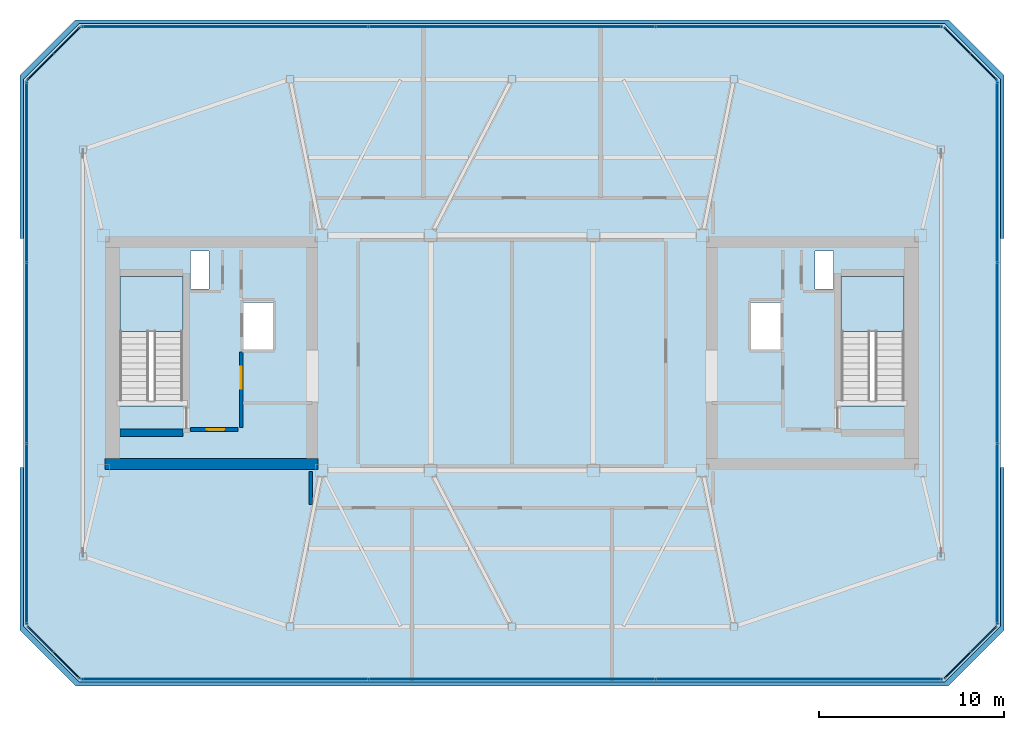
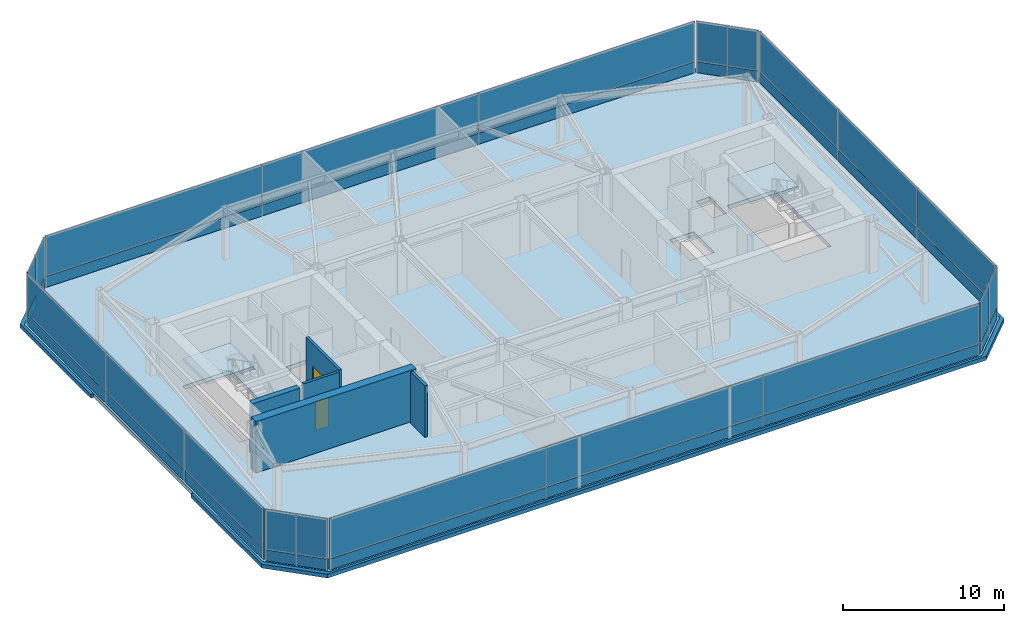
# One storey, part 16 of 21: 40 plates, 5 slabs, 5 walls, 2 doors, 2 openings, 10 elements without a shape of their own.
"""IFC4 building model written with IfcOpenShell, lengths in metres."""

from ifc_helpers import new_model, si_unit, direction, frame, frame_2d, origin, origin_2d, place, context, subcontext, project, spatial, polyline, rectangle, outline, extrude, material, layer, layer_set, type_object, element, fill, aggregate, save


model = new_model("IFC4")

# Units and contexts
model_context = context("Model", 3, precision=1e-05, world=origin(), true_north=direction((0.0, 1.0)))
body_context = subcontext(model_context, "Body", "Model", "MODEL_VIEW")
ifc_project = project(units=[si_unit("LENGTHUNIT", "METRE"), si_unit("AREAUNIT", "SQUARE_METRE"), si_unit("VOLUMEUNIT", "CUBIC_METRE"), si_unit("PLANEANGLEUNIT", "RADIAN"), si_unit("MASSUNIT", "GRAM", prefix="KILO")], contexts=[model_context])

# Site, building, storey
site_placement = place(None, origin())
site = spatial("IfcSite", under=ifc_project, at=site_placement, CompositionType="ELEMENT")
building_placement = place(site_placement, origin())
building = spatial("IfcBuilding", under=site, at=building_placement, Name="Tavrogorsk Clinical Tower", CompositionType="ELEMENT")
storey_placement = place(building_placement, frame((0.0, 0.0, 348.60009765625)))
storey = spatial("IfcBuildingStorey", under=building, at=storey_placement, Name="L81", CompositionType="ELEMENT", Elevation=348.60009765625)

# Slabs
ifc_material_1 = material(Name="Concrete B60", Category="concrete")
ifc_layer_1 = layer(ifc_material_1, 0.300048828125)
ifc_layer_set_1 = layer_set([ifc_layer_1], Name="Concrete B60")
slab_type_1 = type_object("IfcSlabType", Name="CrownRoofSlab_300", PredefinedType="FLOOR", material=ifc_layer_set_1)
slab_1_placement = place(storey_placement, frame((0.0, 0.0, -0.300048828125)))
element("IfcSlab", 1, at=slab_1_placement, inside=storey, type_object=slab_type_1, Name="L81 Structural Slab", PredefinedType="FLOOR", context=body_context, shape_type="SweptSolid", body=[
    extrude(outline(polyline([(-23.39990234375, -17.800048828125), (23.39990234375, -17.800048828125), (26.39990234375, -14.800048828125), (26.39990234375, 14.800048828125), (23.39990234375, 17.800048828125), (-23.39990234375, 17.800048828125), (-26.39990234375, 14.800048828125), (-26.39990234375, -14.800048828125), (-23.39990234375, -17.800048828125)]), holes=[polyline([(-17.800048828125, -2.8798828125), (-17.800048828125, 4.125), (-21.199951171875, 4.125), (-21.199951171875, -2.8798828125), (-17.800048828125, -2.8798828125)]), polyline([(21.199951171875, -2.8798828125), (21.199951171875, 4.125), (17.800048828125, 4.125), (17.800048828125, -2.8798828125), (21.199951171875, -2.8798828125)]), polyline([(-14.6201171875, 0.169921875), (-12.860107421875, 0.169921875), (-12.860107421875, 2.72998046875), (-14.6201171875, 2.72998046875), (-14.6201171875, 0.169921875)]), polyline([(12.860107421875, 0.169921875), (14.6201171875, 0.169921875), (14.6201171875, 2.72998046875), (12.860107421875, 2.72998046875), (12.860107421875, 0.169921875)]), polyline([(-17.3798828125, 3.449951171875), (-16.3798828125, 3.449951171875), (-16.3798828125, 5.5), (-17.3798828125, 5.5), (-17.3798828125, 3.449951171875)]), polyline([(16.3798828125, 3.449951171875), (17.3798828125, 3.449951171875), (17.3798828125, 5.5), (16.3798828125, 5.5), (16.3798828125, 3.449951171875)])]), origin(), (0.0, 0.0, 1.0), 0.300048828125),
])
ifc_material_2 = material(Name="Concrete B60", Category="concrete")
ifc_layer_2 = layer(ifc_material_2, 0.300048828125)
ifc_layer_set_2 = layer_set([ifc_layer_2], Name="Concrete B60")
slab_type_2 = type_object("IfcSlabType", Name="CrownTopRoofSlab_300", PredefinedType="ROOF", material=ifc_layer_set_2)
slab_2_placement = place(storey_placement, frame((0.0, 0.0, -0.300048828125)))
element("IfcSlab", 2, at=slab_2_placement, inside=storey, type_object=slab_type_2, Name="L81 Setback Roof Slab 1", PredefinedType="ROOF", context=body_context, shape_type="SweptSolid", body=[
    extrude(outline(polyline([(-26.60009765625, -6.199951171875), (-26.39990234375, -6.199951171875), (-26.39990234375, -14.800048828125), (-23.39990234375, -17.800048828125), (23.39990234375, -17.800048828125), (26.39990234375, -14.800048828125), (26.39990234375, -6.199951171875), (26.60009765625, -6.199951171875), (26.60009765625, -15.0), (23.60009765625, -18.0), (-23.60009765625, -18.0), (-26.60009765625, -15.0), (-26.60009765625, -6.199951171875)])), origin(), (0.0, 0.0, 1.0), 0.300048828125),
])
slab_3_placement = place(storey_placement, frame((0.0, 0.0, -0.300048828125)))
element("IfcSlab", 3, at=slab_3_placement, inside=storey, type_object=slab_type_2, Name="L81 Setback Roof Slab 2", PredefinedType="ROOF", context=body_context, shape_type="SweptSolid", body=[
    extrude(outline(polyline([(-26.60009765625, 15.0), (-23.60009765625, 18.0), (23.60009765625, 18.0), (26.60009765625, 15.0), (26.60009765625, 6.199951171875), (26.39990234375, 6.199951171875), (26.39990234375, 14.800048828125), (23.39990234375, 17.800048828125), (-23.39990234375, 17.800048828125), (-26.39990234375, 14.800048828125), (-26.39990234375, 6.199951171875), (-26.60009765625, 6.199951171875), (-26.60009765625, 15.0)])), origin(), (0.0, 0.0, 1.0), 0.300048828125),
])

# Curtain wall, plates
ifc_material_3 = material(Name="Anodised aluminium and triple IGU glazing", Category="aluminium")
ifc_layer_3 = layer(ifc_material_3, 0.179931640625)
ifc_layer_set_3 = layer_set([ifc_layer_3], Name="Anodised aluminium and triple IGU glazing")
curtain_wall_type = type_object("IfcCurtainWallType", Name="CW5_SkyLobby", PredefinedType="NOTDEFINED", material=ifc_layer_set_3)
curtain_wall_1_placement = place(storey_placement, origin())
curtain_wall_1 = element("IfcCurtainWall", 4, at=curtain_wall_1_placement, inside=storey, type_object=curtain_wall_type, Name="L81 Curtain Wall CW-L81-DRUM-1", PredefinedType="NOTDEFINED")
ifc_material_4 = material(Name="Honed Podolsk limestone spandrel panel", Category="masonry")
ifc_layer_4 = layer(ifc_material_4, 0.080078125)
ifc_layer_set_4 = layer_set([ifc_layer_4], Name="Honed Podolsk limestone spandrel panel")
plate_type_1 = type_object("IfcPlateType", Name="CwSpandrelStonePanel_80", PredefinedType="CURTAIN_PANEL", material=ifc_layer_set_4)
plate_1_placement = place(storey_placement, frame((-24.0771484375, -16.896484375, 0.001953125), z_axis=(0.0, 0.0, 1.0), x_axis=(-0.707106781187, 0.707106781187, 0.0)))
plate_1 = element("IfcPlate", 5, at=plate_1_placement, type_object=plate_type_1, Name="CW-L81-DRUM-1 Stone Spandrel Panel 1", PredefinedType="CURTAIN_PANEL", context=body_context, shape_type="SweptSolid", body=[
    extrude(rectangle(XDim=1.98291015625, YDim=0.080078125, at=origin_2d()), origin(), (0.0, 0.0, 1.0), 0.8359375),
])
plate_2_placement = place(storey_placement, frame((-25.49658203125, -15.477294921875, 0.001953125), z_axis=(0.0, 0.0, 1.0), x_axis=(-0.707106781187, 0.707106781187, 0.0)))
plate_2 = element("IfcPlate", 6, at=plate_2_placement, type_object=plate_type_1, Name="CW-L81-DRUM-1 Stone Spandrel Panel 2", PredefinedType="CURTAIN_PANEL", context=body_context, shape_type="SweptSolid", body=[
    extrude(rectangle(XDim=1.98291015625, YDim=0.080078125, at=origin_2d()), origin(), (0.0, 0.0, 1.0), 0.8359375),
])

curtain_wall_2_placement = place(storey_placement, origin())
curtain_wall_2 = element("IfcCurtainWall", 7, at=curtain_wall_2_placement, inside=storey, type_object=curtain_wall_type, Name="L81 Curtain Wall CW-L81-DRUM-2", PredefinedType="NOTDEFINED")
plate_3_placement = place(storey_placement, frame((-26.239990234375, -9.78857421875, 0.001953125), z_axis=(0.0, 0.0, 1.0), x_axis=(0.0, 1.0, 0.0)))
plate_3 = element("IfcPlate", 8, at=plate_3_placement, type_object=plate_type_1, Name="CW-L81-DRUM-2 Stone Spandrel Panel 1", PredefinedType="CURTAIN_PANEL", context=body_context, shape_type="SweptSolid", body=[
    extrude(rectangle(XDim=9.7705078125, YDim=0.080078125, at=origin_2d()), origin(), (0.0, 0.0, 1.0), 0.8359375),
])
plate_4_placement = place(storey_placement, frame((-26.239990234375, 0.0, 0.001953125), z_axis=(0.0, 0.0, 1.0), x_axis=(0.0, 1.0, 0.0)))
plate_4 = element("IfcPlate", 9, at=plate_4_placement, type_object=plate_type_1, Name="CW-L81-DRUM-2 Stone Spandrel Panel 2", PredefinedType="CURTAIN_PANEL", context=body_context, shape_type="SweptSolid", body=[
    extrude(rectangle(XDim=9.758544921875, YDim=0.080078125, at=origin_2d()), origin(), (0.0, 0.0, 1.0), 0.8359375),
])
plate_5_placement = place(storey_placement, frame((-26.239990234375, 9.78857421875, 0.001953125), z_axis=(0.0, 0.0, 1.0), x_axis=(0.0, 1.0, 0.0)))
plate_5 = element("IfcPlate", 10, at=plate_5_placement, type_object=plate_type_1, Name="CW-L81-DRUM-2 Stone Spandrel Panel 3", PredefinedType="CURTAIN_PANEL", context=body_context, shape_type="SweptSolid", body=[
    extrude(rectangle(XDim=9.7705078125, YDim=0.080078125, at=origin_2d()), origin(), (0.0, 0.0, 1.0), 0.8359375),
])

curtain_wall_3_placement = place(storey_placement, origin())
curtain_wall_3 = element("IfcCurtainWall", 11, at=curtain_wall_3_placement, inside=storey, type_object=curtain_wall_type, Name="L81 Curtain Wall CW-L81-DRUM-3", PredefinedType="NOTDEFINED")
plate_6_placement = place(storey_placement, frame((-25.49658203125, 15.477294921875, 0.001953125), z_axis=(0.0, 0.0, 1.0), x_axis=(0.707106781187, 0.707106781187, 0.0)))
plate_6 = element("IfcPlate", 12, at=plate_6_placement, type_object=plate_type_1, Name="CW-L81-DRUM-3 Stone Spandrel Panel 1", PredefinedType="CURTAIN_PANEL", context=body_context, shape_type="SweptSolid", body=[
    extrude(rectangle(XDim=1.98291015625, YDim=0.080078125, at=origin_2d()), origin(), (0.0, 0.0, 1.0), 0.8359375),
])
plate_7_placement = place(storey_placement, frame((-24.0771484375, 16.896484375, 0.001953125), z_axis=(0.0, 0.0, 1.0), x_axis=(0.707106781187, 0.707106781187, 0.0)))
plate_7 = element("IfcPlate", 13, at=plate_7_placement, type_object=plate_type_1, Name="CW-L81-DRUM-3 Stone Spandrel Panel 2", PredefinedType="CURTAIN_PANEL", context=body_context, shape_type="SweptSolid", body=[
    extrude(rectangle(XDim=1.98291015625, YDim=0.080078125, at=origin_2d()), origin(), (0.0, 0.0, 1.0), 0.8359375),
])

curtain_wall_4_placement = place(storey_placement, origin())
curtain_wall_4 = element("IfcCurtainWall", 14, at=curtain_wall_4_placement, inside=storey, type_object=curtain_wall_type, Name="L81 Curtain Wall CW-L81-DRUM-4", PredefinedType="NOTDEFINED")
plate_8_placement = place(storey_placement, frame((-15.521728515625, 17.639892578125, 0.001953125), z_axis=(0.0, 0.0, 1.0), x_axis=(1.0, 0.0, 0.0)))
plate_8 = element("IfcPlate", 15, at=plate_8_placement, type_object=plate_type_1, Name="CW-L81-DRUM-4 Stone Spandrel Panel 1", PredefinedType="CURTAIN_PANEL", context=body_context, shape_type="SweptSolid", body=[
    extrude(rectangle(XDim=15.50390625, YDim=0.080078125, at=origin_2d()), origin(), (0.0, 0.0, 1.0), 0.8359375),
])
plate_9_placement = place(storey_placement, frame((0.0, 17.639892578125, 0.001953125), z_axis=(0.0, 0.0, 1.0), x_axis=(1.0, 0.0, 0.0)))
plate_9 = element("IfcPlate", 16, at=plate_9_placement, type_object=plate_type_1, Name="CW-L81-DRUM-4 Stone Spandrel Panel 2", PredefinedType="CURTAIN_PANEL", context=body_context, shape_type="SweptSolid", body=[
    extrude(rectangle(XDim=15.49169921875, YDim=0.080078125, at=origin_2d()), origin(), (0.0, 0.0, 1.0), 0.8359375),
])
plate_10_placement = place(storey_placement, frame((15.521728515625, 17.639892578125, 0.001953125), z_axis=(0.0, 0.0, 1.0), x_axis=(1.0, 0.0, 0.0)))
plate_10 = element("IfcPlate", 17, at=plate_10_placement, type_object=plate_type_1, Name="CW-L81-DRUM-4 Stone Spandrel Panel 3", PredefinedType="CURTAIN_PANEL", context=body_context, shape_type="SweptSolid", body=[
    extrude(rectangle(XDim=15.50390625, YDim=0.080078125, at=origin_2d()), origin(), (0.0, 0.0, 1.0), 0.8359375),
])

curtain_wall_5_placement = place(storey_placement, origin())
curtain_wall_5 = element("IfcCurtainWall", 18, at=curtain_wall_5_placement, inside=storey, type_object=curtain_wall_type, Name="L81 Curtain Wall CW-L81-DRUM-5", PredefinedType="NOTDEFINED")
plate_11_placement = place(storey_placement, frame((24.0771484375, 16.896484375, 0.001953125), z_axis=(0.0, 0.0, 1.0), x_axis=(0.707106781187, -0.707106781187, 0.0)))
plate_11 = element("IfcPlate", 19, at=plate_11_placement, type_object=plate_type_1, Name="CW-L81-DRUM-5 Stone Spandrel Panel 1", PredefinedType="CURTAIN_PANEL", context=body_context, shape_type="SweptSolid", body=[
    extrude(rectangle(XDim=1.98291015625, YDim=0.080078125, at=origin_2d()), origin(), (0.0, 0.0, 1.0), 0.8359375),
])
plate_12_placement = place(storey_placement, frame((25.49658203125, 15.477294921875, 0.001953125), z_axis=(0.0, 0.0, 1.0), x_axis=(0.707106781187, -0.707106781187, 0.0)))
plate_12 = element("IfcPlate", 20, at=plate_12_placement, type_object=plate_type_1, Name="CW-L81-DRUM-5 Stone Spandrel Panel 2", PredefinedType="CURTAIN_PANEL", context=body_context, shape_type="SweptSolid", body=[
    extrude(rectangle(XDim=1.98291015625, YDim=0.080078125, at=origin_2d()), origin(), (0.0, 0.0, 1.0), 0.8359375),
])

curtain_wall_6_placement = place(storey_placement, origin())
curtain_wall_6 = element("IfcCurtainWall", 21, at=curtain_wall_6_placement, inside=storey, type_object=curtain_wall_type, Name="L81 Curtain Wall CW-L81-DRUM-6", PredefinedType="NOTDEFINED")
plate_13_placement = place(storey_placement, frame((26.239990234375, 9.78857421875, 0.001953125), z_axis=(0.0, 0.0, 1.0), x_axis=(0.0, -1.0, 0.0)))
plate_13 = element("IfcPlate", 22, at=plate_13_placement, type_object=plate_type_1, Name="CW-L81-DRUM-6 Stone Spandrel Panel 1", PredefinedType="CURTAIN_PANEL", context=body_context, shape_type="SweptSolid", body=[
    extrude(rectangle(XDim=9.7705078125, YDim=0.080078125, at=origin_2d()), origin(), (0.0, 0.0, 1.0), 0.8359375),
])
plate_14_placement = place(storey_placement, frame((26.239990234375, 0.0, 0.001953125), z_axis=(0.0, 0.0, 1.0), x_axis=(0.0, -1.0, 0.0)))
plate_14 = element("IfcPlate", 23, at=plate_14_placement, type_object=plate_type_1, Name="CW-L81-DRUM-6 Stone Spandrel Panel 2", PredefinedType="CURTAIN_PANEL", context=body_context, shape_type="SweptSolid", body=[
    extrude(rectangle(XDim=9.758544921875, YDim=0.080078125, at=origin_2d()), origin(), (0.0, 0.0, 1.0), 0.8359375),
])
plate_15_placement = place(storey_placement, frame((26.239990234375, -9.78857421875, 0.001953125), z_axis=(0.0, 0.0, 1.0), x_axis=(0.0, -1.0, 0.0)))
plate_15 = element("IfcPlate", 24, at=plate_15_placement, type_object=plate_type_1, Name="CW-L81-DRUM-6 Stone Spandrel Panel 3", PredefinedType="CURTAIN_PANEL", context=body_context, shape_type="SweptSolid", body=[
    extrude(rectangle(XDim=9.7705078125, YDim=0.080078125, at=origin_2d()), origin(), (0.0, 0.0, 1.0), 0.8359375),
])

curtain_wall_7_placement = place(storey_placement, origin())
curtain_wall_7 = element("IfcCurtainWall", 25, at=curtain_wall_7_placement, inside=storey, type_object=curtain_wall_type, Name="L81 Curtain Wall CW-L81-DRUM-7", PredefinedType="NOTDEFINED")
plate_16_placement = place(storey_placement, frame((25.49658203125, -15.477294921875, 0.001953125), z_axis=(0.0, 0.0, 1.0), x_axis=(-0.707106781187, -0.707106781187, 0.0)))
plate_16 = element("IfcPlate", 26, at=plate_16_placement, type_object=plate_type_1, Name="CW-L81-DRUM-7 Stone Spandrel Panel 1", PredefinedType="CURTAIN_PANEL", context=body_context, shape_type="SweptSolid", body=[
    extrude(rectangle(XDim=1.98291015625, YDim=0.080078125, at=origin_2d()), origin(), (0.0, 0.0, 1.0), 0.8359375),
])
plate_17_placement = place(storey_placement, frame((24.0771484375, -16.896484375, 0.001953125), z_axis=(0.0, 0.0, 1.0), x_axis=(-0.707106781187, -0.707106781187, 0.0)))
plate_17 = element("IfcPlate", 27, at=plate_17_placement, type_object=plate_type_1, Name="CW-L81-DRUM-7 Stone Spandrel Panel 2", PredefinedType="CURTAIN_PANEL", context=body_context, shape_type="SweptSolid", body=[
    extrude(rectangle(XDim=1.98291015625, YDim=0.080078125, at=origin_2d()), origin(), (0.0, 0.0, 1.0), 0.8359375),
])

curtain_wall_8_placement = place(storey_placement, origin())
curtain_wall_8 = element("IfcCurtainWall", 28, at=curtain_wall_8_placement, inside=storey, type_object=curtain_wall_type, Name="L81 Curtain Wall CW-L81-DRUM-8", PredefinedType="NOTDEFINED")
plate_18_placement = place(storey_placement, frame((15.521728515625, -17.639892578125, 0.001953125), z_axis=(0.0, 0.0, 1.0), x_axis=(-1.0, 0.0, 0.0)))
plate_18 = element("IfcPlate", 29, at=plate_18_placement, type_object=plate_type_1, Name="CW-L81-DRUM-8 Stone Spandrel Panel 1", PredefinedType="CURTAIN_PANEL", context=body_context, shape_type="SweptSolid", body=[
    extrude(rectangle(XDim=15.50390625, YDim=0.080078125, at=origin_2d()), origin(), (0.0, 0.0, 1.0), 0.8359375),
])
plate_19_placement = place(storey_placement, frame((0.0, -17.639892578125, 0.001953125), z_axis=(0.0, 0.0, 1.0), x_axis=(-1.0, 0.0, 0.0)))
plate_19 = element("IfcPlate", 30, at=plate_19_placement, type_object=plate_type_1, Name="CW-L81-DRUM-8 Stone Spandrel Panel 2", PredefinedType="CURTAIN_PANEL", context=body_context, shape_type="SweptSolid", body=[
    extrude(rectangle(XDim=15.49169921875, YDim=0.080078125, at=origin_2d()), origin(), (0.0, 0.0, 1.0), 0.8359375),
])
plate_20_placement = place(storey_placement, frame((-15.521728515625, -17.639892578125, 0.001953125), z_axis=(0.0, 0.0, 1.0), x_axis=(-1.0, 0.0, 0.0)))
plate_20 = element("IfcPlate", 31, at=plate_20_placement, type_object=plate_type_1, Name="CW-L81-DRUM-8 Stone Spandrel Panel 3", PredefinedType="CURTAIN_PANEL", context=body_context, shape_type="SweptSolid", body=[
    extrude(rectangle(XDim=15.50390625, YDim=0.080078125, at=origin_2d()), origin(), (0.0, 0.0, 1.0), 0.8359375),
])

# Plate
ifc_material_5 = material(Name="Triple low-E argon insulated glass", Category="glass")
ifc_layer_5 = layer(ifc_material_5, 0.048095703125)
ifc_layer_set_5 = layer_set([ifc_layer_5], Name="Triple low-E argon insulated glass")
plate_type_2 = type_object("IfcPlateType", Name="CwVisionGlassPanel_48", PredefinedType="CURTAIN_PANEL", material=ifc_layer_set_5)
plate_21_placement = place(storey_placement, frame((-24.0771484375, -16.896484375, 0.86181640625), z_axis=(0.0, 0.0, 1.0), x_axis=(-0.707106781187, 0.707106781187, 0.0)))
plate_21 = element("IfcPlate", 32, at=plate_21_placement, type_object=plate_type_2, Name="CW-L81-DRUM-1 Glazing Panel 1", PredefinedType="CURTAIN_PANEL", context=body_context, shape_type="SweptSolid", body=[
    extrude(rectangle(XDim=1.98291015625, YDim=0.048095703125, at=origin_2d()), origin(), (0.0, 0.0, 1.0), 3.035888671875),
])

plate_22_placement = place(storey_placement, frame((-25.49658203125, -15.477294921875, 0.86181640625), z_axis=(0.0, 0.0, 1.0), x_axis=(-0.707106781187, 0.707106781187, 0.0)))
plate_22 = element("IfcPlate", 33, at=plate_22_placement, type_object=plate_type_2, Name="CW-L81-DRUM-1 Glazing Panel 2", PredefinedType="CURTAIN_PANEL", context=body_context, shape_type="SweptSolid", body=[
    extrude(rectangle(XDim=1.98291015625, YDim=0.048095703125, at=origin_2d()), origin(), (0.0, 0.0, 1.0), 3.035888671875),
])

aggregate(curtain_wall_1, [plate_1, plate_21, plate_2, plate_22])

plate_23_placement = place(storey_placement, frame((-26.239990234375, -9.78857421875, 0.86181640625), z_axis=(0.0, 0.0, 1.0), x_axis=(0.0, 1.0, 0.0)))
plate_23 = element("IfcPlate", 34, at=plate_23_placement, type_object=plate_type_2, Name="CW-L81-DRUM-2 Glazing Panel 1", PredefinedType="CURTAIN_PANEL", context=body_context, shape_type="SweptSolid", body=[
    extrude(rectangle(XDim=9.7705078125, YDim=0.048095703125, at=origin_2d()), origin(), (0.0, 0.0, 1.0), 3.035888671875),
])

plate_24_placement = place(storey_placement, frame((-26.239990234375, 0.0, 0.86181640625), z_axis=(0.0, 0.0, 1.0), x_axis=(0.0, 1.0, 0.0)))
plate_24 = element("IfcPlate", 35, at=plate_24_placement, type_object=plate_type_2, Name="CW-L81-DRUM-2 Glazing Panel 2", PredefinedType="CURTAIN_PANEL", context=body_context, shape_type="SweptSolid", body=[
    extrude(rectangle(XDim=9.758544921875, YDim=0.048095703125, at=origin_2d()), origin(), (0.0, 0.0, 1.0), 3.035888671875),
])

plate_25_placement = place(storey_placement, frame((-26.239990234375, 9.78857421875, 0.86181640625), z_axis=(0.0, 0.0, 1.0), x_axis=(0.0, 1.0, 0.0)))
plate_25 = element("IfcPlate", 36, at=plate_25_placement, type_object=plate_type_2, Name="CW-L81-DRUM-2 Glazing Panel 3", PredefinedType="CURTAIN_PANEL", context=body_context, shape_type="SweptSolid", body=[
    extrude(rectangle(XDim=9.7705078125, YDim=0.048095703125, at=origin_2d()), origin(), (0.0, 0.0, 1.0), 3.035888671875),
])

aggregate(curtain_wall_2, [plate_3, plate_23, plate_4, plate_24, plate_5, plate_25])

plate_26_placement = place(storey_placement, frame((-25.49658203125, 15.477294921875, 0.86181640625), z_axis=(0.0, 0.0, 1.0), x_axis=(0.707106781187, 0.707106781187, 0.0)))
plate_26 = element("IfcPlate", 37, at=plate_26_placement, type_object=plate_type_2, Name="CW-L81-DRUM-3 Glazing Panel 1", PredefinedType="CURTAIN_PANEL", context=body_context, shape_type="SweptSolid", body=[
    extrude(rectangle(XDim=1.98291015625, YDim=0.048095703125, at=origin_2d()), origin(), (0.0, 0.0, 1.0), 3.035888671875),
])

plate_27_placement = place(storey_placement, frame((-24.0771484375, 16.896484375, 0.86181640625), z_axis=(0.0, 0.0, 1.0), x_axis=(0.707106781187, 0.707106781187, 0.0)))
plate_27 = element("IfcPlate", 38, at=plate_27_placement, type_object=plate_type_2, Name="CW-L81-DRUM-3 Glazing Panel 2", PredefinedType="CURTAIN_PANEL", context=body_context, shape_type="SweptSolid", body=[
    extrude(rectangle(XDim=1.98291015625, YDim=0.048095703125, at=origin_2d()), origin(), (0.0, 0.0, 1.0), 3.035888671875),
])

aggregate(curtain_wall_3, [plate_6, plate_26, plate_7, plate_27])

plate_28_placement = place(storey_placement, frame((-15.521728515625, 17.639892578125, 0.86181640625), z_axis=(0.0, 0.0, 1.0), x_axis=(1.0, 0.0, 0.0)))
plate_28 = element("IfcPlate", 39, at=plate_28_placement, type_object=plate_type_2, Name="CW-L81-DRUM-4 Glazing Panel 1", PredefinedType="CURTAIN_PANEL", context=body_context, shape_type="SweptSolid", body=[
    extrude(rectangle(XDim=15.50390625, YDim=0.048095703125, at=origin_2d()), origin(), (0.0, 0.0, 1.0), 3.035888671875),
])

plate_29_placement = place(storey_placement, frame((0.0, 17.639892578125, 0.86181640625), z_axis=(0.0, 0.0, 1.0), x_axis=(1.0, 0.0, 0.0)))
plate_29 = element("IfcPlate", 40, at=plate_29_placement, type_object=plate_type_2, Name="CW-L81-DRUM-4 Glazing Panel 2", PredefinedType="CURTAIN_PANEL", context=body_context, shape_type="SweptSolid", body=[
    extrude(rectangle(XDim=15.49169921875, YDim=0.048095703125, at=origin_2d()), origin(), (0.0, 0.0, 1.0), 3.035888671875),
])

plate_30_placement = place(storey_placement, frame((15.521728515625, 17.639892578125, 0.86181640625), z_axis=(0.0, 0.0, 1.0), x_axis=(1.0, 0.0, 0.0)))
plate_30 = element("IfcPlate", 41, at=plate_30_placement, type_object=plate_type_2, Name="CW-L81-DRUM-4 Glazing Panel 3", PredefinedType="CURTAIN_PANEL", context=body_context, shape_type="SweptSolid", body=[
    extrude(rectangle(XDim=15.50390625, YDim=0.048095703125, at=origin_2d()), origin(), (0.0, 0.0, 1.0), 3.035888671875),
])

aggregate(curtain_wall_4, [plate_8, plate_28, plate_9, plate_29, plate_10, plate_30])

plate_31_placement = place(storey_placement, frame((24.0771484375, 16.896484375, 0.86181640625), z_axis=(0.0, 0.0, 1.0), x_axis=(0.707106781187, -0.707106781187, 0.0)))
plate_31 = element("IfcPlate", 42, at=plate_31_placement, type_object=plate_type_2, Name="CW-L81-DRUM-5 Glazing Panel 1", PredefinedType="CURTAIN_PANEL", context=body_context, shape_type="SweptSolid", body=[
    extrude(rectangle(XDim=1.98291015625, YDim=0.048095703125, at=origin_2d()), origin(), (0.0, 0.0, 1.0), 3.035888671875),
])

plate_32_placement = place(storey_placement, frame((25.49658203125, 15.477294921875, 0.86181640625), z_axis=(0.0, 0.0, 1.0), x_axis=(0.707106781187, -0.707106781187, 0.0)))
plate_32 = element("IfcPlate", 43, at=plate_32_placement, type_object=plate_type_2, Name="CW-L81-DRUM-5 Glazing Panel 2", PredefinedType="CURTAIN_PANEL", context=body_context, shape_type="SweptSolid", body=[
    extrude(rectangle(XDim=1.98291015625, YDim=0.048095703125, at=origin_2d()), origin(), (0.0, 0.0, 1.0), 3.035888671875),
])

aggregate(curtain_wall_5, [plate_11, plate_31, plate_12, plate_32])

plate_33_placement = place(storey_placement, frame((26.239990234375, 9.78857421875, 0.86181640625), z_axis=(0.0, 0.0, 1.0), x_axis=(0.0, -1.0, 0.0)))
plate_33 = element("IfcPlate", 44, at=plate_33_placement, type_object=plate_type_2, Name="CW-L81-DRUM-6 Glazing Panel 1", PredefinedType="CURTAIN_PANEL", context=body_context, shape_type="SweptSolid", body=[
    extrude(rectangle(XDim=9.7705078125, YDim=0.048095703125, at=origin_2d()), origin(), (0.0, 0.0, 1.0), 3.035888671875),
])

plate_34_placement = place(storey_placement, frame((26.239990234375, 0.0, 0.86181640625), z_axis=(0.0, 0.0, 1.0), x_axis=(0.0, -1.0, 0.0)))
plate_34 = element("IfcPlate", 45, at=plate_34_placement, type_object=plate_type_2, Name="CW-L81-DRUM-6 Glazing Panel 2", PredefinedType="CURTAIN_PANEL", context=body_context, shape_type="SweptSolid", body=[
    extrude(rectangle(XDim=9.758544921875, YDim=0.048095703125, at=origin_2d()), origin(), (0.0, 0.0, 1.0), 3.035888671875),
])

plate_35_placement = place(storey_placement, frame((26.239990234375, -9.78857421875, 0.86181640625), z_axis=(0.0, 0.0, 1.0), x_axis=(0.0, -1.0, 0.0)))
plate_35 = element("IfcPlate", 46, at=plate_35_placement, type_object=plate_type_2, Name="CW-L81-DRUM-6 Glazing Panel 3", PredefinedType="CURTAIN_PANEL", context=body_context, shape_type="SweptSolid", body=[
    extrude(rectangle(XDim=9.7705078125, YDim=0.048095703125, at=origin_2d()), origin(), (0.0, 0.0, 1.0), 3.035888671875),
])

aggregate(curtain_wall_6, [plate_13, plate_33, plate_14, plate_34, plate_15, plate_35])

plate_36_placement = place(storey_placement, frame((25.49658203125, -15.477294921875, 0.86181640625), z_axis=(0.0, 0.0, 1.0), x_axis=(-0.707106781187, -0.707106781187, 0.0)))
plate_36 = element("IfcPlate", 47, at=plate_36_placement, type_object=plate_type_2, Name="CW-L81-DRUM-7 Glazing Panel 1", PredefinedType="CURTAIN_PANEL", context=body_context, shape_type="SweptSolid", body=[
    extrude(rectangle(XDim=1.98291015625, YDim=0.048095703125, at=origin_2d()), origin(), (0.0, 0.0, 1.0), 3.035888671875),
])

plate_37_placement = place(storey_placement, frame((24.0771484375, -16.896484375, 0.86181640625), z_axis=(0.0, 0.0, 1.0), x_axis=(-0.707106781187, -0.707106781187, 0.0)))
plate_37 = element("IfcPlate", 48, at=plate_37_placement, type_object=plate_type_2, Name="CW-L81-DRUM-7 Glazing Panel 2", PredefinedType="CURTAIN_PANEL", context=body_context, shape_type="SweptSolid", body=[
    extrude(rectangle(XDim=1.98291015625, YDim=0.048095703125, at=origin_2d()), origin(), (0.0, 0.0, 1.0), 3.035888671875),
])

aggregate(curtain_wall_7, [plate_16, plate_36, plate_17, plate_37])

plate_38_placement = place(storey_placement, frame((15.521728515625, -17.639892578125, 0.86181640625), z_axis=(0.0, 0.0, 1.0), x_axis=(-1.0, 0.0, 0.0)))
plate_38 = element("IfcPlate", 49, at=plate_38_placement, type_object=plate_type_2, Name="CW-L81-DRUM-8 Glazing Panel 1", PredefinedType="CURTAIN_PANEL", context=body_context, shape_type="SweptSolid", body=[
    extrude(rectangle(XDim=15.50390625, YDim=0.048095703125, at=origin_2d()), origin(), (0.0, 0.0, 1.0), 3.035888671875),
])

plate_39_placement = place(storey_placement, frame((0.0, -17.639892578125, 0.86181640625), z_axis=(0.0, 0.0, 1.0), x_axis=(-1.0, 0.0, 0.0)))
plate_39 = element("IfcPlate", 50, at=plate_39_placement, type_object=plate_type_2, Name="CW-L81-DRUM-8 Glazing Panel 2", PredefinedType="CURTAIN_PANEL", context=body_context, shape_type="SweptSolid", body=[
    extrude(rectangle(XDim=15.49169921875, YDim=0.048095703125, at=origin_2d()), origin(), (0.0, 0.0, 1.0), 3.035888671875),
])

plate_40_placement = place(storey_placement, frame((-15.521728515625, -17.639892578125, 0.86181640625), z_axis=(0.0, 0.0, 1.0), x_axis=(-1.0, 0.0, 0.0)))
plate_40 = element("IfcPlate", 51, at=plate_40_placement, type_object=plate_type_2, Name="CW-L81-DRUM-8 Glazing Panel 3", PredefinedType="CURTAIN_PANEL", context=body_context, shape_type="SweptSolid", body=[
    extrude(rectangle(XDim=15.50390625, YDim=0.048095703125, at=origin_2d()), origin(), (0.0, 0.0, 1.0), 3.035888671875),
])

aggregate(curtain_wall_8, [plate_18, plate_38, plate_19, plate_39, plate_20, plate_40])

# Stair, slab
ifc_material_6 = material(Name="Concrete B60", Category="concrete")
stair_type = type_object("IfcStairType", Name="CoreStairAssembly", PredefinedType="HALF_TURN_STAIR", material=ifc_material_6)
stair_1_placement = place(storey_placement, origin())
stair_1 = element("IfcStair", 52, at=stair_1_placement, inside=storey, type_object=stair_type, Name="L81 ST-W", PredefinedType="HALF_TURN_STAIR")
ifc_material_7 = material(Name="Concrete B60", Category="concrete")
ifc_layer_6 = layer(ifc_material_7, 0.199951171875)
ifc_layer_set_6 = layer_set([ifc_layer_6], Name="Concrete B60")
slab_type_3 = type_object("IfcSlabType", Name="StairLanding_200", PredefinedType="LANDING", material=ifc_layer_set_6)
slab_4_placement = place(storey_placement, frame((0.0, 0.0, 1.89990234375)))
slab_4 = element("IfcSlab", 53, at=slab_4_placement, type_object=slab_type_3, Name="ST-W landing 1", PredefinedType="LANDING", context=body_context, shape_type="SweptSolid", body=[
    extrude(outline(polyline([(-17.800048828125, 1.1650390625), (-17.800048828125, 4.125), (-21.199951171875, 4.125), (-21.199951171875, 1.1650390625), (-17.800048828125, 1.1650390625)])), origin(), (0.0, 0.0, 1.0), 0.199951171875),
])
aggregate(stair_1, [slab_4])

stair_2_placement = place(storey_placement, origin())
stair_2 = element("IfcStair", 54, at=stair_2_placement, inside=storey, type_object=stair_type, Name="L81 ST-E", PredefinedType="HALF_TURN_STAIR")
slab_5_placement = place(storey_placement, frame((0.0, 0.0, 1.89990234375)))
slab_5 = element("IfcSlab", 55, at=slab_5_placement, type_object=slab_type_3, Name="ST-E landing 1", PredefinedType="LANDING", context=body_context, shape_type="SweptSolid", body=[
    extrude(outline(polyline([(21.199951171875, 1.1650390625), (21.199951171875, 4.125), (17.800048828125, 4.125), (17.800048828125, 1.1650390625), (21.199951171875, 1.1650390625)])), origin(), (0.0, 0.0, 1.0), 0.199951171875),
])
aggregate(stair_2, [slab_5])

# Wall, opening, door
ifc_material_8 = material(Name="Concrete B60", Category="concrete")
ifc_layer_7 = layer(ifc_material_8, 0.199951171875)
ifc_layer_set_7 = layer_set([ifc_layer_7], Name="Concrete B60")
wall_type_1 = type_object("IfcWallType", Name="CoreFireWall_200", PredefinedType="SOLIDWALL", material=ifc_layer_set_7)
wall_1_placement = place(storey_placement, frame((-17.3798828125, -4.139892578125, 0.0), z_axis=(0.0, 0.0, 1.0), x_axis=(1.0, 0.0, 0.0)))
wall_1 = element("IfcWall", 56, at=wall_1_placement, inside=storey, type_object=wall_type_1, Name="L81 Core West South Core Room Fire Wall", PredefinedType="SOLIDWALL", context=body_context, shape_type="SweptSolid", body=[
    extrude(rectangle(XDim=2.554931640625, YDim=0.199951171875, at=frame_2d((1.27734375, 0.0))), origin(), (0.0, 0.0, 1.0), 3.89990234375),
])
opening_1_placement = place(wall_1_placement, frame((0.8798828125, 0.0, 0.0)))
opening_1 = element("IfcOpeningElement", 57, at=opening_1_placement, cuts=wall_1, Name="Opening ID-02", PredefinedType="OPENING", context=body_context, shape_type="SweptSolid", body=[
    extrude(rectangle(XDim=0.949951171875, YDim=2.199951171875, at=frame_2d((0.47509765625, 1.10009765625))), frame((0.0, 0.10986328125, 0.0), z_axis=(0.0, -1.0, 0.0), x_axis=(1.0, 0.0, 0.0)), (0.0, 0.0, 1.0), 0.219970703125),
])
ifc_material_9 = material(Name="Laminated timber leaf on aluminium frame", Category="wood")
door_type_1 = type_object("IfcDoorType", Name="InteriorDoor_ID02_950", OperationType="NOTDEFINED", PredefinedType="DOOR", material=ifc_material_9)
door_1_placement = place(opening_1_placement, origin())
door_1 = element("IfcDoor", 58, at=door_1_placement, inside=storey, type_object=door_type_1, Name="L81 Core West South Core Room Door", OperationType="SINGLE_SWING_RIGHT", OverallHeight=2.199951171875, OverallWidth=0.949951171875, PredefinedType="DOOR", context=body_context, shape_type="SweptSolid", body=[
    extrude(rectangle(XDim=0.949951171875, YDim=2.199951171875, at=frame_2d((0.47509765625, 1.10009765625))), frame((0.0, 0.02490234375, 0.0), z_axis=(0.0, -1.0, 0.0), x_axis=(1.0, 0.0, 0.0)), (0.0, 0.0, 1.0), 0.050048828125),
])
fill(opening_1, door_1)

wall_2_placement = place(storey_placement, frame((-14.639892578125, -4.034912109375, 0.0), z_axis=(0.0, 0.0, 1.0), x_axis=(0.0, 1.0, 0.0)))
wall_2 = element("IfcWall", 59, at=wall_2_placement, inside=storey, type_object=wall_type_1, Name="L81 Core West Firefighting Lobby Fire Wall", PredefinedType="SOLIDWALL", context=body_context, shape_type="SweptSolid", body=[
    extrude(rectangle(XDim=4.074951171875, YDim=0.199951171875, at=frame_2d((2.03759765625, 0.0))), origin(), (0.0, 0.0, 1.0), 3.89990234375),
])
opening_2_placement = place(wall_2_placement, frame((2.090087890625, 0.0, 0.0)))
opening_2 = element("IfcOpeningElement", 60, at=opening_2_placement, cuts=wall_2, Name="Opening FD-01", PredefinedType="OPENING", context=body_context, shape_type="SweptSolid", body=[
    extrude(rectangle(XDim=1.199951171875, YDim=2.199951171875, at=frame_2d((0.60009765625, 1.10009765625))), frame((0.0, 0.10986328125, 0.0), z_axis=(0.0, -1.0, 0.0), x_axis=(1.0, 0.0, 0.0)), (0.0, 0.0, 1.0), 0.219970703125),
])
ifc_material_10 = material(Name="Galvanised steel fire-rated door assembly", Category="steel")
door_type_2 = type_object("IfcDoorType", Name="FireDoor_FD01_1200", OperationType="NOTDEFINED", PredefinedType="DOOR", material=ifc_material_10)
door_2_placement = place(opening_2_placement, origin())
door_2 = element("IfcDoor", 61, at=door_2_placement, inside=storey, type_object=door_type_2, Name="L81 Core West Firefighting Lobby Entry Door", OperationType="SINGLE_SWING_RIGHT", OverallHeight=2.199951171875, OverallWidth=1.199951171875, PredefinedType="DOOR", context=body_context, shape_type="SweptSolid", body=[
    extrude(rectangle(XDim=1.199951171875, YDim=2.199951171875, at=frame_2d((0.60009765625, 1.10009765625))), frame((0.0, 0.02490234375, 0.0), z_axis=(0.0, -1.0, 0.0), x_axis=(1.0, 0.0, 0.0)), (0.0, 0.0, 1.0), 0.050048828125),
])
fill(opening_2, door_2)

# Walls
wall_3_placement = place(storey_placement, frame((-10.8798828125, -8.195068359375, 0.0), z_axis=(0.0, 0.0, 1.0), x_axis=(0.0, 1.0, 0.0)))
element("IfcWall", 62, at=wall_3_placement, inside=storey, type_object=wall_type_1, Name="L81 Crown Corridor Wall 01", PredefinedType="SOLIDWALL", context=body_context, shape_type="SweptSolid", body=[
    extrude(rectangle(XDim=1.775146484375, YDim=0.199951171875, at=frame_2d((0.8876953125, 0.0))), origin(), (0.0, 0.0, 1.0), 3.89990234375),
])
ifc_material_11 = material(Name="Concrete B80", Category="concrete")
ifc_layer_8 = layer(ifc_material_11, 0.39990234375)
ifc_layer_set_8 = layer_set([ifc_layer_8], Name="Concrete B80")
wall_type_2 = type_object("IfcWallType", Name="ShearWall_400", PredefinedType="SHEAR", material=ifc_layer_set_8)
wall_4_placement = place(storey_placement, frame((-21.199951171875, -4.324951171875, 0.0), z_axis=(0.0, 0.0, 1.0), x_axis=(1.0, 0.0, 0.0)))
element("IfcWall", 63, at=wall_4_placement, inside=storey, type_object=wall_type_2, Name="L81 Core West Stair Shaft South Shear Wall", PredefinedType="SHEAR", context=body_context, shape_type="SweptSolid", body=[
    extrude(rectangle(XDim=3.39990234375, YDim=0.39990234375, at=frame_2d((1.699951171875, 0.0))), origin(), (0.0, 0.0, 1.0), 3.89990234375),
])
ifc_material_12 = material(Name="Concrete B80", Category="concrete")
ifc_layer_9 = layer(ifc_material_12, 0.60009765625)
ifc_layer_set_9 = layer_set([ifc_layer_9], Name="Concrete B80")
wall_type_3 = type_object("IfcWallType", Name="ShearWall_600", PredefinedType="SHEAR", material=ifc_layer_set_9)
wall_5_placement = place(storey_placement, frame((-22.0, -6.0, 0.0), z_axis=(0.0, 0.0, 1.0), x_axis=(1.0, 0.0, 0.0)))
element("IfcWall", 64, at=wall_5_placement, inside=storey, type_object=wall_type_3, Name="L81 Core West South Shear Wall", PredefinedType="SHEAR", context=body_context, shape_type="SweptSolid", body=[
    extrude(rectangle(XDim=11.5, YDim=0.60009765625, at=frame_2d((5.75, 0.0))), origin(), (0.0, 0.0, 1.0), 3.89990234375),
])

save(model, "model.ifc")
